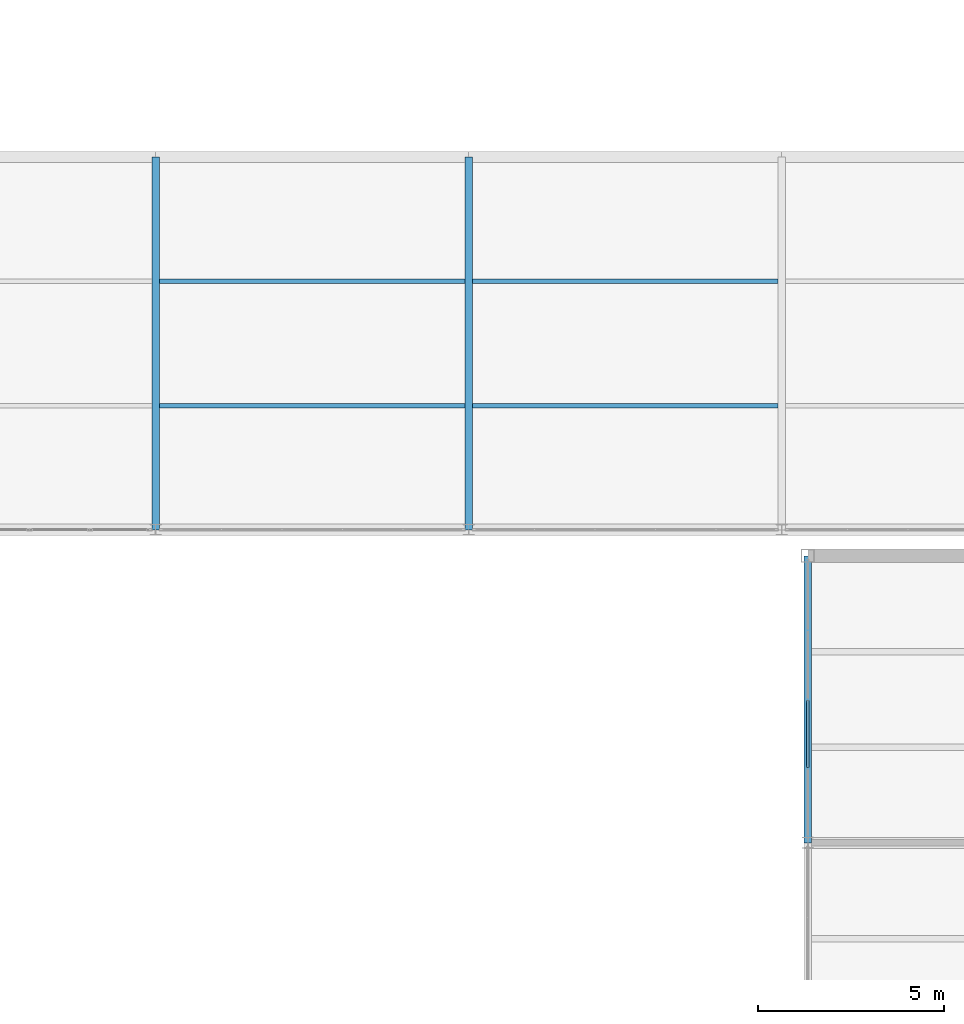
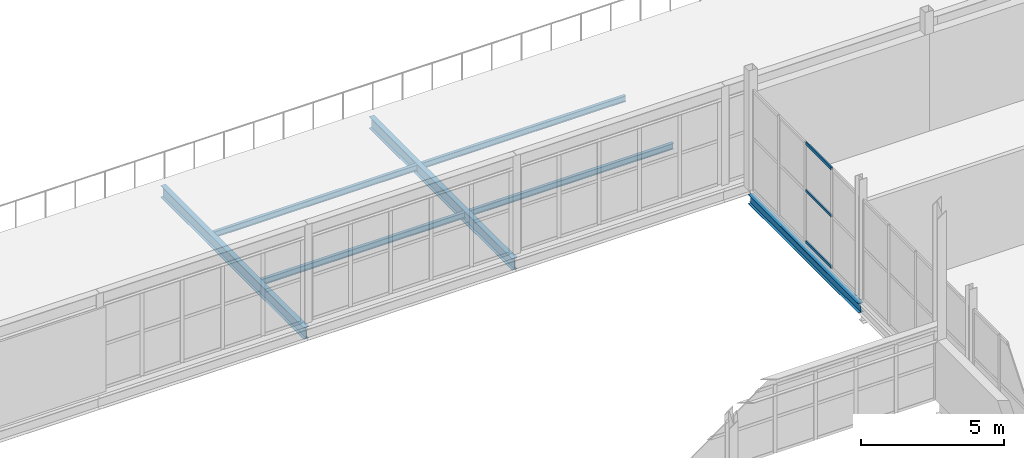
# One storey, part 140 of 218: 7 beams, 3 members, 1 element without a shape of its own.
"""IFC4 building model written with IfcOpenShell, lengths in metres."""

import ifcopenshell
import ifcopenshell.guid

model = None  # the IFC model being written
_history = None  # IfcOwnerHistory: only IFC2X3 demands one
_inside = {}  # id of a spatial element -> (the spatial element, [elements in it])
_under = {}  # id of a project, library or spatial element -> (it, [spatial elements below it])
_declared = {}  # id of a project -> (the project, [libraries it declares])
_typed = {}  # id of a type object -> (the type object, [elements of that type])
_made_of = {}  # id of a material, layer set ... -> (it, [elements and type objects made of it])


def new_model(schema):
    """Start an empty IFC model of exactly this schema.

    Asked for "IFC4X3", IfcOpenShell would pick the latest addendum, in which some entities
    have other attributes; the version numbers below select the first issue.
    IFC2X3 requires an IfcOwnerHistory on every rooted entity: one is made here for all.
    """
    global model, _history
    if schema == "IFC4X3":
        model = ifcopenshell.file(schema_version=(4, 3, 0, 0))
    else:
        model = ifcopenshell.file(schema=schema)
    _inside.clear()
    _under.clear()
    _declared.clear()
    _typed.clear()
    _made_of.clear()
    _history = None
    if model.schema == "IFC2X3":
        org = make("IfcOrganization", Name="unknown")
        user = make(
            "IfcPersonAndOrganization",
            ThePerson=make("IfcPerson", FamilyName="unknown"),
            TheOrganization=org,
        )
        app = make(
            "IfcApplication",
            ApplicationDeveloper=org,
            Version="unknown",
            ApplicationFullName="unknown",
            ApplicationIdentifier="unknown",
        )
        _history = make(
            "IfcOwnerHistory",
            OwningUser=user,
            OwningApplication=app,
            ChangeAction="ADDED",
            CreationDate=0,
        )
    return model


def make(cls, **values):
    """One entity of the class cls with the attributes given. An attribute that is None is left unset."""
    return model.create_entity(
        cls, **{name: value for name, value in values.items() if value is not None}
    )


def rooted(cls, **values):
    """An entity with a GlobalId (a new one), such as an element, a storey or a relation."""
    return make(cls, GlobalId=ifcopenshell.guid.new(), OwnerHistory=_history, **values)


def si_unit(unit_type, name, prefix=None):
    """IfcSIUnit, for example si_unit("LENGTHUNIT", "METRE", prefix="MILLI")."""
    return make("IfcSIUnit", UnitType=unit_type, Prefix=prefix, Name=name)


def assignment(units):
    """IfcUnitAssignment: the units of a project."""
    return None if units is None else make("IfcUnitAssignment", Units=units)


def point(xyz):
    """IfcCartesianPoint."""
    return None if xyz is None else make("IfcCartesianPoint", Coordinates=xyz)


def direction(xyz):
    """IfcDirection."""
    return None if xyz is None else make("IfcDirection", DirectionRatios=xyz)


def frame(location, z_axis=None, x_axis=None):
    """IfcAxis2Placement3D, a coordinate frame: its origin and axes. An axis left out is left unset."""
    return make(
        "IfcAxis2Placement3D",
        Location=point(location),
        Axis=direction(z_axis),
        RefDirection=direction(x_axis),
    )


def frame_2d(location, x_axis=None):
    """IfcAxis2Placement2D, a coordinate frame in the plane: its origin and x axis."""
    return make(
        "IfcAxis2Placement2D", Location=point(location), RefDirection=direction(x_axis)
    )


def origin():
    """The frame at (0, 0, 0) with its axes left unset."""
    return frame((0.0, 0.0, 0.0))


def origin_2d():
    """The frame at (0, 0) in the plane with its x axis left unset."""
    return frame_2d((0.0, 0.0))


def place(relative_to, where):
    """IfcLocalPlacement: puts the frame where relative to a parent placement (None: the world)."""
    return make(
        "IfcLocalPlacement", PlacementRelTo=relative_to, RelativePlacement=where
    )


def context(
    kind, dimensions, precision=None, world=None, true_north=None, identifier=None
):
    """IfcGeometricRepresentationContext, for example the 3D "Model" context."""
    return make(
        "IfcGeometricRepresentationContext",
        ContextIdentifier=identifier,
        ContextType=kind,
        CoordinateSpaceDimension=dimensions,
        Precision=precision,
        WorldCoordinateSystem=world,
        TrueNorth=true_north,
    )


def subcontext(parent, identifier, kind, view, scale=None):
    """IfcGeometricRepresentationSubContext, for example "Body" below "Model"."""
    return make(
        "IfcGeometricRepresentationSubContext",
        ContextIdentifier=identifier,
        ContextType=kind,
        ParentContext=parent,
        TargetScale=scale,
        TargetView=view,
    )


def project(units=None, contexts=None):
    """IfcProject with its units and contexts."""
    return rooted(
        "IfcProject",
        Name="project",
        RepresentationContexts=contexts,
        UnitsInContext=assignment(units),
    )


def spatial(cls, under=None, at=None, **own):
    """A site, building, storey or space (cls), placed at a placement, below another one or the project."""
    s = rooted(cls, ObjectPlacement=at, **own)
    if under is not None:
        _under.setdefault(under.id(), (under, []))[1].append(s)
    return s


def profile(cls, at=None, kind="AREA", **sizes):
    """A parametric profile (cls). Its sizes go by their IFC names, for example OverallWidth=200.0."""
    return make(cls, ProfileType=kind, Position=at, **sizes)


def hollow_rectangle(**sizes):
    """IfcRectangleHollowProfileDef."""
    return profile("IfcRectangleHollowProfileDef", **sizes)


def i_section(**sizes):
    """IfcIShapeProfileDef."""
    return profile("IfcIShapeProfileDef", **sizes)


def extrude(swept, where, along, depth):
    """IfcExtrudedAreaSolid: the profile swept, set in the frame where, extruded along a direction by depth."""
    return make(
        "IfcExtrudedAreaSolid",
        SweptArea=swept,
        Position=where,
        ExtrudedDirection=direction(along),
        Depth=depth,
    )


def shape(context_of_items, identifier, shape_type, items):
    """IfcShapeRepresentation: the items that make up one representation, for example the "Body"."""
    return make(
        "IfcShapeRepresentation",
        ContextOfItems=context_of_items,
        RepresentationIdentifier=identifier,
        RepresentationType=shape_type,
        Items=items,
    )


def material(Name=None, Category=None):
    """IfcMaterial."""
    return make("IfcMaterial", Name=Name, Category=Category)


def material_profile(
    of_material, cross_section, Name=None, Category=None, Priority=None
):
    """IfcMaterialProfile: a cross section and its material."""
    return make(
        "IfcMaterialProfile",
        Name=Name,
        Material=of_material,
        Profile=cross_section,
        Priority=Priority,
        Category=Category,
    )


def profile_set(profiles, Name=None, composite=None):
    """IfcMaterialProfileSet."""
    return make(
        "IfcMaterialProfileSet",
        Name=Name,
        MaterialProfiles=profiles,
        CompositeProfile=composite,
    )


def made_of(thing, what):
    """Note that an element or type object is made of a material, layer set ...; save() writes the relation."""
    if what is not None:
        _made_of.setdefault(what.id(), (what, []))[1].append(thing)
    return thing


def type_object(cls, material=None, **own):
    """A type object (cls), such as IfcWallType, which elements share."""
    return made_of(rooted(cls, **own), material)


def element(
    cls,
    number,
    at=None,
    inside=None,
    cuts=None,
    type_object=None,
    material=None,
    context=None,
    identifier="Body",
    shape_type=None,
    held_by="IfcProductDefinitionShape",
    body=None,
    shapes=None,
    **own,
):
    """One element of the class cls, such as IfcWall. Its Tag is "e" and its number.

    at: its placement. inside: the storey or other place that contains it. cuts: it is an
    opening in that element (IfcRelVoidsElement). A single representation is given by context,
    identifier, shape_type and body (its items); several are given by shapes. held_by: the class
    of the entity that holds the representations. save() writes the other relations.
    """
    e = rooted(cls, Tag="e%d" % number, ObjectPlacement=at, **own)
    if body is not None:
        shapes = [shape(context, identifier, shape_type, body)]
    if shapes is not None:
        e.Representation = make(held_by, Representations=shapes)
    if inside is not None:
        _inside.setdefault(inside.id(), (inside, []))[1].append(e)
    if cuts is not None:
        rooted(
            "IfcRelVoidsElement", RelatingBuildingElement=cuts, RelatedOpeningElement=e
        )
    if type_object is not None:
        _typed.setdefault(type_object.id(), (type_object, []))[1].append(e)
    return made_of(e, material)


def aggregate(whole, parts):
    """IfcRelAggregates: a whole, such as a stair, and the parts it consists of."""
    return rooted("IfcRelAggregates", RelatingObject=whole, RelatedObjects=parts)


def save(model, path):
    """Write the relations noted so far, then the file.

    IfcRelAggregates (storeys below a building ...), IfcRelContainedInSpatialStructure (elements
    in a storey), IfcRelDefinesByType, IfcRelAssociatesMaterial and IfcRelDeclares: one each for
    every whole, place, type object, material and project.
    """
    for whole, parts in _under.values():
        aggregate(whole, parts)
    for where, things in _inside.values():
        rooted(
            "IfcRelContainedInSpatialStructure",
            RelatedElements=things,
            RelatingStructure=where,
        )
    for kind, things in _typed.values():
        rooted("IfcRelDefinesByType", RelatedObjects=things, RelatingType=kind)
    for what, things in _made_of.values():
        rooted("IfcRelAssociatesMaterial", RelatedObjects=things, RelatingMaterial=what)
    for by, libraries in _declared.values():
        rooted("IfcRelDeclares", RelatingContext=by, RelatedDefinitions=libraries)
    model.write(path)


model = new_model("IFC4")

# Units and contexts
model_context = context("Model", 3, precision=1e-05, world=origin(), true_north=direction((0.0, 1.0)))
body_context = subcontext(model_context, "Body", "Model", "MODEL_VIEW")
ifc_project = project(units=[si_unit("LENGTHUNIT", "METRE"), si_unit("AREAUNIT", "SQUARE_METRE"), si_unit("VOLUMEUNIT", "CUBIC_METRE"), si_unit("PLANEANGLEUNIT", "RADIAN"), si_unit("MASSUNIT", "GRAM", prefix="KILO")], contexts=[model_context])

# Site, building, storey
site_placement = place(None, origin())
site = spatial("IfcSite", under=ifc_project, at=site_placement, CompositionType="ELEMENT")
building_placement = place(site_placement, origin())
building = spatial("IfcBuilding", under=site, at=building_placement, Name="Kazenagashi Tramway Depot", CompositionType="ELEMENT")
storey_placement = place(building_placement, frame((0.0, 0.0, 6.0)))
storey = spatial("IfcBuildingStorey", under=building, at=storey_placement, Name="L02", CompositionType="ELEMENT", Elevation=6.0)

# Beams
ifc_material_1 = material(Name="Steel SN490B", Category="steel")
ifc_material_profile_1 = material_profile(ifc_material_1, i_section(OverallWidth=0.2, OverallDepth=0.5, WebThickness=0.01, FlangeThickness=0.016, at=origin_2d()), Name="H-500x200x10x16")
ifc_profile_set_1 = profile_set([ifc_material_profile_1], Name="Steel SN490B")
beam_type_1 = type_object("IfcBeamType", Name="G-05", PredefinedType="BEAM", material=ifc_profile_set_1)
for number, where, z_axis, x_axis, name in (
    (1, (128.8, 70.0, -0.515), (0.0, 1.0, 0.0), (-1.0, 0.0, 0.0), "Beam G-05 BM-1766"),
    (2, (137.2, 70.0, -0.515), (0.0, 1.0, 0.0), (-1.0, 0.0, 0.0), "Beam G-05 BM-1769"),
):
    element("IfcBeam", number, at=place(storey_placement, frame(where, z_axis=z_axis, x_axis=x_axis)), inside=storey, type_object=beam_type_1, Name=name, PredefinedType="BEAM", context=body_context, shape_type="SweptSolid", body=[
        extrude(i_section(OverallWidth=0.2, OverallDepth=0.5, WebThickness=0.01, FlangeThickness=0.016, at=origin_2d()), origin(), (0.0, 0.0, 1.0), 10.0),
    ])
ifc_material_2 = material(Name="Steel SN400B", Category="steel")
ifc_material_profile_2 = material_profile(ifc_material_2, i_section(OverallWidth=0.125, OverallDepth=0.25, WebThickness=0.006, FlangeThickness=0.009, at=origin_2d()), Name="H-250x125x6x9")
ifc_profile_set_2 = profile_set([ifc_material_profile_2], Name="Steel SN400B")
beam_type_2 = type_object("IfcBeamType", Name="J-03", PredefinedType="JOIST", material=ifc_profile_set_2)
for number, where, z_axis, x_axis, name in (
    (3, (128.9, 73.333, -0.39), (1.0, 0.0, 0.0), (0.0, 1.0, 0.0), "Beam J-03 BM-1767"),
    (4, (128.9, 76.667, -0.39), (1.0, 0.0, 0.0), (0.0, 1.0, 0.0), "Beam J-03 BM-1768"),
    (5, (137.3, 73.333, -0.39), (1.0, 0.0, 0.0), (0.0, 1.0, 0.0), "Beam J-03 BM-1770"),
    (6, (137.3, 76.667, -0.39), (1.0, 0.0, 0.0), (0.0, 1.0, 0.0), "Beam J-03 BM-1771"),
):
    element("IfcBeam", number, at=place(storey_placement, frame(where, z_axis=z_axis, x_axis=x_axis)), inside=storey, type_object=beam_type_2, Name=name, PredefinedType="JOIST", context=body_context, shape_type="SweptSolid", body=[
        extrude(i_section(OverallWidth=0.125, OverallDepth=0.25, WebThickness=0.006, FlangeThickness=0.009, at=origin_2d()), origin(), (0.0, 0.0, 1.0), 8.2),
    ])
ifc_material_profile_3 = material_profile(ifc_material_1, i_section(OverallWidth=0.2, OverallDepth=0.4, WebThickness=0.008, FlangeThickness=0.013, at=origin_2d()), Name="H-400x200x8x13")
ifc_profile_set_3 = profile_set([ifc_material_profile_3], Name="Steel SN490B")
beam_type_3 = type_object("IfcBeamType", Name="SP-04", PredefinedType="SPANDREL", material=ifc_profile_set_3)
beam_placement = place(storey_placement, frame((146.3, 61.6, -0.48), z_axis=(0.0, 1.0, 0.0), x_axis=(-1.0, 0.0, 0.0)))
element("IfcBeam", 7, at=beam_placement, inside=storey, type_object=beam_type_3, Name="Beam SP-04 BM-1253", PredefinedType="SPANDREL", context=body_context, shape_type="SweptSolid", body=[
    extrude(i_section(OverallWidth=0.2, OverallDepth=0.4, WebThickness=0.008, FlangeThickness=0.013, at=origin_2d()), origin(), (0.0, 0.0, 1.0), 7.7),
])

# Curtain wall, members
ifc_material_3 = material(Name="Anodised Aluminium and Low-E Glazing", Category="aluminium")
curtain_wall_type = type_object("IfcCurtainWallType", Name="CW-31", PredefinedType="USERDEFINED", material=ifc_material_3)
curtain_wall_placement = place(storey_placement, origin())
curtain_wall = element("IfcCurtainWall", 8, at=curtain_wall_placement, inside=storey, type_object=curtain_wall_type, Name="Industrial Glazed Screen CW-31 CW-0173", ObjectType="GLAZED SCREEN", PredefinedType="USERDEFINED")
ifc_material_4 = material(Name="Anodised Aluminium", Category="aluminium")
ifc_material_profile_4 = material_profile(ifc_material_4, hollow_rectangle(XDim=0.06, YDim=0.12, WallThickness=0.004, at=origin_2d()), Name="RHS-120x60x4")
ifc_profile_set_4 = profile_set([ifc_material_profile_4], Name="Anodised Aluminium")
member_type = type_object("IfcMemberType", Name="TR-01", PredefinedType="USERDEFINED", material=ifc_profile_set_4)
member_1_placement = place(storey_placement, frame((146.3, 63.625, 0.03), z_axis=(0.0, 1.0, 0.0), x_axis=(-1.0, 0.0, 0.0)))
member_1 = element("IfcMember", 9, at=member_1_placement, type_object=member_type, Name="CW-31 transom 2.1", ObjectType="TRANSOM", PredefinedType="USERDEFINED", context=body_context, shape_type="SweptSolid", body=[
    extrude(hollow_rectangle(XDim=0.06, YDim=0.12, WallThickness=0.004, at=origin_2d()), origin(), (0.0, 0.0, 1.0), 1.795),
])
member_2_placement = place(storey_placement, frame((146.3, 63.625, 2.21), z_axis=(0.0, 1.0, 0.0), x_axis=(-1.0, 0.0, 0.0)))
member_2 = element("IfcMember", 10, at=member_2_placement, type_object=member_type, Name="CW-31 transom 2.2", ObjectType="TRANSOM", PredefinedType="USERDEFINED", context=body_context, shape_type="SweptSolid", body=[
    extrude(hollow_rectangle(XDim=0.06, YDim=0.12, WallThickness=0.004, at=origin_2d()), origin(), (0.0, 0.0, 1.0), 1.795),
])
member_3_placement = place(storey_placement, frame((146.3, 63.625, 4.22), z_axis=(0.0, 1.0, 0.0), x_axis=(-1.0, 0.0, 0.0)))
member_3 = element("IfcMember", 11, at=member_3_placement, type_object=member_type, Name="CW-31 transom 2.3", ObjectType="TRANSOM", PredefinedType="USERDEFINED", context=body_context, shape_type="SweptSolid", body=[
    extrude(hollow_rectangle(XDim=0.06, YDim=0.12, WallThickness=0.004, at=origin_2d()), origin(), (0.0, 0.0, 1.0), 1.795),
])
aggregate(curtain_wall, [member_1, member_2, member_3])

save(model, "model.ifc")
